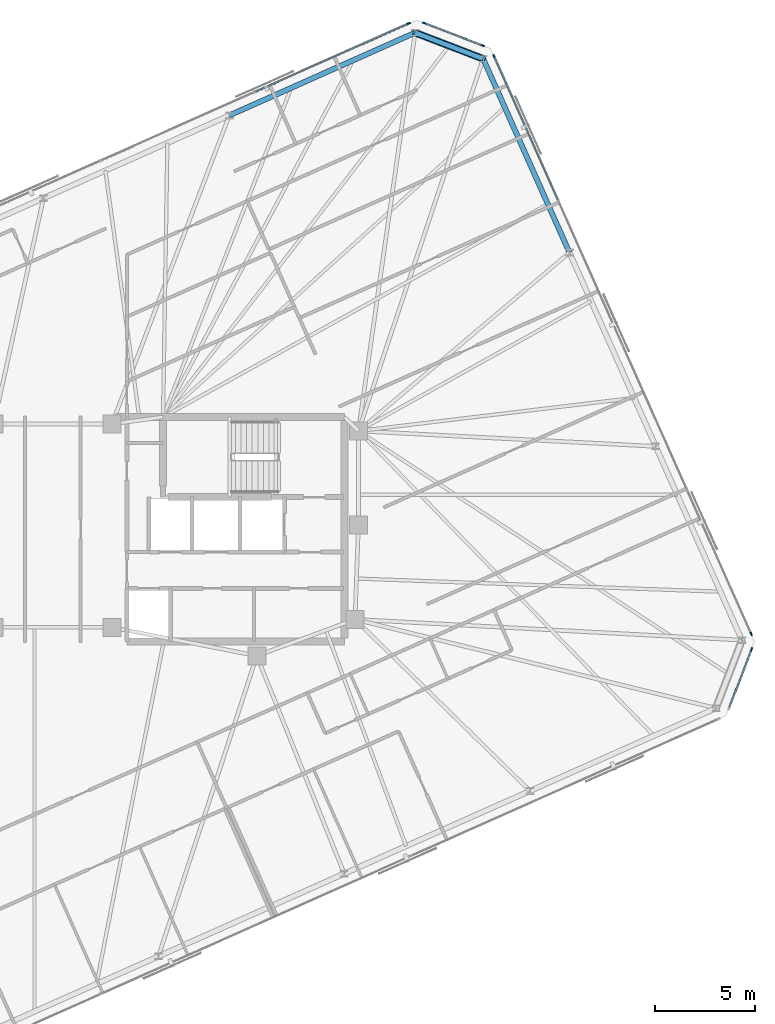
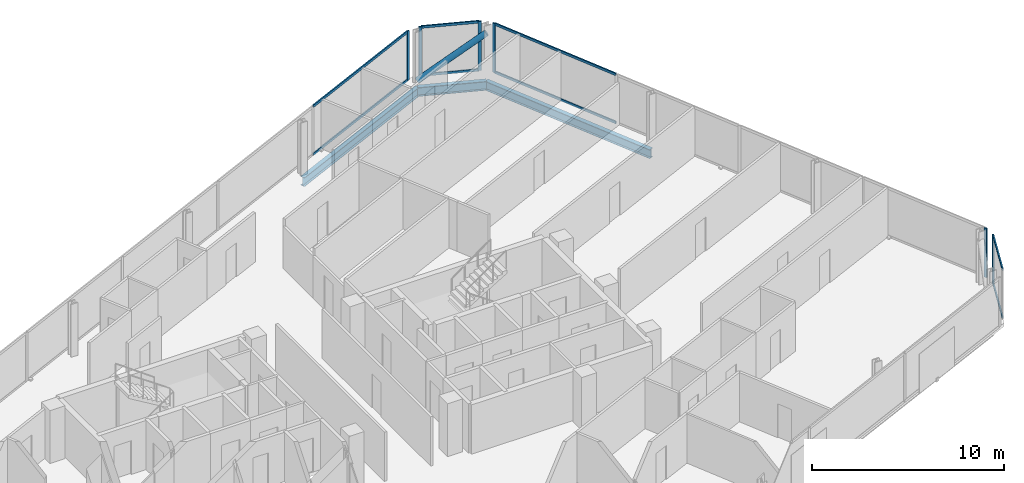
# One storey, part 11 of 19: 15 members, 3 beams, 4 elements without a shape of their own.
"""IFC4 building model written with IfcOpenShell, lengths in metres."""

from ifc_helpers import new_model, si_unit, direction, frame, origin, origin_2d, place, context, subcontext, project, spatial, rectangle, hollow_circle, i_section, extrude, material, material_profile, profile_set, type_object, element, aggregate, save


model = new_model("IFC4")

# Units and contexts
model_context = context("Model", 3, precision=1e-05, world=origin(), true_north=direction((0.0, 1.0)))
body_context = subcontext(model_context, "Body", "Model", "MODEL_VIEW")
ifc_project = project(units=[si_unit("LENGTHUNIT", "METRE"), si_unit("AREAUNIT", "SQUARE_METRE"), si_unit("VOLUMEUNIT", "CUBIC_METRE"), si_unit("PLANEANGLEUNIT", "RADIAN"), si_unit("MASSUNIT", "GRAM", prefix="KILO")], contexts=[model_context])

# Site, building, storey
site_placement = place(None, origin())
site = spatial("IfcSite", under=ifc_project, at=site_placement, CompositionType="ELEMENT")
building_placement = place(site_placement, origin())
building = spatial("IfcBuilding", under=site, at=building_placement, Name="Menara Jurai Vektor", CompositionType="ELEMENT")
storey_placement = place(building_placement, frame((0.0, 0.0, 281.89990234375)))
storey = spatial("IfcBuildingStorey", under=building, at=storey_placement, Name="L75", CompositionType="ELEMENT", Elevation=281.89990234375)

# Curtain wall, member
ifc_material_1 = material(Name="Anodised Pale Aluminium & Low-E Double Glazing", Category="aluminium")
curtain_wall_type = type_object("IfcCurtainWallType", Name="CW-BLK5", PredefinedType="NOTDEFINED", material=ifc_material_1)
curtain_wall_1_placement = place(storey_placement, origin())
curtain_wall_1 = element("IfcCurtainWall", 1, at=curtain_wall_1_placement, inside=storey, type_object=curtain_wall_type, Name="Unitised Curtain Wall L75 F02", PredefinedType="NOTDEFINED")
ifc_material_2 = material(Name="Anodised Pale Aluminium Mullion", Category="aluminium")
ifc_material_profile_1 = material_profile(ifc_material_2, rectangle(XDim=0.074951171875, YDim=0.175048828125, at=origin_2d()), Name="ALU MUL 75x175")
ifc_profile_set_1 = profile_set([ifc_material_profile_1], Name="Anodised Pale Aluminium Mullion")
member_type_1 = type_object("IfcMemberType", Name="CW-BLK5-MUL", PredefinedType="MULLION", material=ifc_profile_set_1)
member_1_placement = place(storey_placement, frame((34.87548828125, -5.997314453125, 0.0), z_axis=(0.0, 0.0, 1.0), x_axis=(-0.933578193639, 0.358373766287, 0.0)))
member_1 = element("IfcMember", 2, at=member_1_placement, type_object=member_type_1, Name="CW-05 mullion 2", PredefinedType="MULLION", context=body_context, shape_type="SweptSolid", body=[
    extrude(rectangle(XDim=0.074951171875, YDim=0.175048828125, at=origin_2d()), origin(), (0.0, 0.0, 1.0), 3.125),
])

# Curtain wall, members
curtain_wall_2_placement = place(storey_placement, origin())
curtain_wall_2 = element("IfcCurtainWall", 3, at=curtain_wall_2_placement, inside=storey, type_object=curtain_wall_type, Name="Unitised Curtain Wall L75 F03", PredefinedType="NOTDEFINED")
member_2_placement = place(storey_placement, frame((34.85546875, -5.22607421875, 0.0), z_axis=(0.0, 0.0, 1.0), x_axis=(-0.913546127706, -0.406735138086, 0.0)))
member_2 = element("IfcMember", 4, at=member_2_placement, type_object=member_type_1, Name="CW-05 mullion 1", PredefinedType="MULLION", context=body_context, shape_type="SweptSolid", body=[
    extrude(rectangle(XDim=0.074951171875, YDim=0.175048828125, at=origin_2d()), origin(), (0.0, 0.0, 1.0), 3.125),
])
member_3_placement = place(storey_placement, frame((22.016845703125, 23.610107421875, 0.0), z_axis=(0.0, 0.0, 1.0), x_axis=(-0.913546127706, -0.406735138086, 0.0)))
member_3 = element("IfcMember", 5, at=member_3_placement, type_object=member_type_1, Name="CW-05 mullion 5", PredefinedType="MULLION", context=body_context, shape_type="SweptSolid", body=[
    extrude(rectangle(XDim=0.074951171875, YDim=0.175048828125, at=origin_2d()), origin(), (0.0, 0.0, 1.0), 3.125),
])

curtain_wall_3_placement = place(storey_placement, origin())
curtain_wall_3 = element("IfcCurtainWall", 6, at=curtain_wall_3_placement, inside=storey, type_object=curtain_wall_type, Name="Unitised Curtain Wall L75 F04", PredefinedType="NOTDEFINED")
member_4_placement = place(storey_placement, frame((21.45703125, 24.14111328125, 0.0), z_axis=(0.0, 0.0, 1.0), x_axis=(-0.358373766287, -0.933578193639, 0.0)))
member_4 = element("IfcMember", 7, at=member_4_placement, type_object=member_type_1, Name="CW-05 mullion 1", PredefinedType="MULLION", context=body_context, shape_type="SweptSolid", body=[
    extrude(rectangle(XDim=0.074951171875, YDim=0.175048828125, at=origin_2d()), origin(), (0.0, 0.0, 1.0), 3.125),
])
member_5_placement = place(storey_placement, frame((18.539794921875, 25.2607421875, 0.0), z_axis=(0.0, 0.0, 1.0), x_axis=(-0.358373766287, -0.933578193639, 0.0)))
member_5 = element("IfcMember", 8, at=member_5_placement, type_object=member_type_1, Name="CW-05 mullion 2", PredefinedType="MULLION", context=body_context, shape_type="SweptSolid", body=[
    extrude(rectangle(XDim=0.074951171875, YDim=0.175048828125, at=origin_2d()), origin(), (0.0, 0.0, 1.0), 3.125),
])

# Curtain wall, member
curtain_wall_4_placement = place(storey_placement, origin())
curtain_wall_4 = element("IfcCurtainWall", 9, at=curtain_wall_4_placement, inside=storey, type_object=curtain_wall_type, Name="Unitised Curtain Wall L75 F05", PredefinedType="NOTDEFINED")
member_6_placement = place(storey_placement, frame((17.768798828125, 25.24072265625, 0.0), z_axis=(0.0, 0.0, 1.0), x_axis=(0.406735498684, -0.913545967158, 0.0)))
member_6 = element("IfcMember", 10, at=member_6_placement, type_object=member_type_1, Name="CW-05 mullion 1", PredefinedType="MULLION", context=body_context, shape_type="SweptSolid", body=[
    extrude(rectangle(XDim=0.074951171875, YDim=0.175048828125, at=origin_2d()), origin(), (0.0, 0.0, 1.0), 3.125),
])

# Member
ifc_material_3 = material(Name="Anodised Pale Aluminium Transom", Category="aluminium")
ifc_material_profile_2 = material_profile(ifc_material_3, rectangle(XDim=0.074951171875, YDim=0.155029296875, at=origin_2d()), Name="ALU TRN 75x155")
ifc_profile_set_2 = profile_set([ifc_material_profile_2], Name="Anodised Pale Aluminium Transom")
member_type_2 = type_object("IfcMemberType", Name="CW-BLK5-TRN", PredefinedType="USERDEFINED", material=ifc_profile_set_2)
member_7_placement = place(storey_placement, frame((33.769287109375, -8.87939453125, 0.03759765625), z_axis=(0.358324523823, 0.933597094911, 0.0), x_axis=(-0.933597094911, 0.358324523823, 0.0)))
member_7 = element("IfcMember", 11, at=member_7_placement, type_object=member_type_2, Name="CW-05 transom 1.1", ObjectType="TRANSOM", PredefinedType="USERDEFINED", context=body_context, shape_type="SweptSolid", body=[
    extrude(rectangle(XDim=0.074951171875, YDim=0.155029296875, at=origin_2d()), origin(), (0.0, 0.0, 1.0), 3.049560546875),
])

member_8_placement = place(storey_placement, frame((33.769287109375, -8.87939453125, 3.087646484375), z_axis=(0.358324523823, 0.933597094911, 0.0), x_axis=(-0.933597094911, 0.358324523823, 0.0)))
member_8 = element("IfcMember", 12, at=member_8_placement, type_object=member_type_2, Name="CW-05 transom 1.2", ObjectType="TRANSOM", PredefinedType="USERDEFINED", context=body_context, shape_type="SweptSolid", body=[
    extrude(rectangle(XDim=0.074951171875, YDim=0.155029296875, at=origin_2d()), origin(), (0.0, 0.0, 1.0), 3.049560546875),
])

aggregate(curtain_wall_1, [member_1, member_7, member_8])

member_9_placement = place(storey_placement, frame((25.20361328125, 16.452392578125, 0.03759765625), z_axis=(-0.406751345283, 0.913538911656, 0.0), x_axis=(-0.913538911656, -0.406751345283, 0.0)))
member_9 = element("IfcMember", 13, at=member_9_placement, type_object=member_type_2, Name="CW-05 transom 4.1", ObjectType="TRANSOM", PredefinedType="USERDEFINED", context=body_context, shape_type="SweptSolid", body=[
    extrude(rectangle(XDim=0.074951171875, YDim=0.155029296875, at=origin_2d()), origin(), (0.0, 0.0, 1.0), 7.79736328125),
])

member_10_placement = place(storey_placement, frame((25.20361328125, 16.452392578125, 3.087646484375), z_axis=(-0.406751345283, 0.913538911656, 0.0), x_axis=(-0.913538911656, -0.406751345283, 0.0)))
member_10 = element("IfcMember", 14, at=member_10_placement, type_object=member_type_2, Name="CW-05 transom 4.2", ObjectType="TRANSOM", PredefinedType="USERDEFINED", context=body_context, shape_type="SweptSolid", body=[
    extrude(rectangle(XDim=0.074951171875, YDim=0.155029296875, at=origin_2d()), origin(), (0.0, 0.0, 1.0), 7.79736328125),
])

aggregate(curtain_wall_2, [member_2, member_3, member_9, member_10])

member_11_placement = place(storey_placement, frame((21.422119140625, 24.154541015625, 0.03759765625), z_axis=(-0.933597094911, 0.358324523823, 0.0), x_axis=(-0.358324523823, -0.933597094911, 0.0)))
member_11 = element("IfcMember", 15, at=member_11_placement, type_object=member_type_2, Name="CW-05 transom 1.1", ObjectType="TRANSOM", PredefinedType="USERDEFINED", context=body_context, shape_type="SweptSolid", body=[
    extrude(rectangle(XDim=0.074951171875, YDim=0.155029296875, at=origin_2d()), origin(), (0.0, 0.0, 1.0), 3.049560546875),
])

member_12_placement = place(storey_placement, frame((21.422119140625, 24.154541015625, 3.087646484375), z_axis=(-0.933597094911, 0.358324523823, 0.0), x_axis=(-0.358324523823, -0.933597094911, 0.0)))
member_12 = element("IfcMember", 16, at=member_12_placement, type_object=member_type_2, Name="CW-05 transom 1.2", ObjectType="TRANSOM", PredefinedType="USERDEFINED", context=body_context, shape_type="SweptSolid", body=[
    extrude(rectangle(XDim=0.074951171875, YDim=0.155029296875, at=origin_2d()), origin(), (0.0, 0.0, 1.0), 3.049560546875),
])

aggregate(curtain_wall_3, [member_4, member_5, member_11, member_12])

member_13_placement = place(storey_placement, frame((17.734375, 25.225341796875, 0.03759765625), z_axis=(-0.913549007168, -0.406728670618, 0.0), x_axis=(0.406728670618, -0.913549007168, 0.0)))
member_13 = element("IfcMember", 17, at=member_13_placement, type_object=member_type_2, Name="CW-05 transom 1.1", ObjectType="TRANSOM", PredefinedType="USERDEFINED", context=body_context, shape_type="SweptSolid", body=[
    extrude(rectangle(XDim=0.074951171875, YDim=0.155029296875, at=origin_2d()), origin(), (0.0, 0.0, 1.0), 8.327392578125),
])

member_14_placement = place(storey_placement, frame((17.734375, 25.225341796875, 3.087646484375), z_axis=(-0.913549007168, -0.406728670618, 0.0), x_axis=(0.406728670618, -0.913549007168, 0.0)))
member_14 = element("IfcMember", 18, at=member_14_placement, type_object=member_type_2, Name="CW-05 transom 1.2", ObjectType="TRANSOM", PredefinedType="USERDEFINED", context=body_context, shape_type="SweptSolid", body=[
    extrude(rectangle(XDim=0.074951171875, YDim=0.155029296875, at=origin_2d()), origin(), (0.0, 0.0, 1.0), 8.327392578125),
])

aggregate(curtain_wall_4, [member_6, member_13, member_14])

ifc_material_4 = material(Name="Steel S460", Category="steel")
ifc_material_profile_3 = material_profile(ifc_material_4, hollow_circle(Radius=0.177734375, WallThickness=0.01611328125, at=origin_2d()), Name="CHS 355.6x16")
ifc_profile_set_3 = profile_set([ifc_material_profile_3], Name="Steel S460")
member_type_3 = type_object("IfcMemberType", Name="STR-BR-356", PredefinedType="BRACE", material=ifc_profile_set_3)
member_15_placement = place(storey_placement, frame((18.07958984375, 24.777099609375, 0.150146484375), z_axis=(0.757042028889, -0.2906257681, 0.585170085882), x_axis=(0.358394346877, 0.933570293083, 0.0)))
element("IfcMember", 19, at=member_15_placement, inside=storey, type_object=member_type_3, Name="Exoskeleton Corner Brace L75-2", PredefinedType="BRACE", context=body_context, shape_type="SweptSolid", body=[
    extrude(hollow_circle(Radius=0.177734375, WallThickness=0.01611328125, at=origin_2d()), origin(), (0.0, 0.0, 1.0), 4.48583984375),
])

# Beams
ifc_material_5 = material(Name="Steel S355", Category="steel")
ifc_material_profile_4 = material_profile(ifc_material_5, i_section(OverallWidth=0.260009765625, OverallDepth=0.570068359375, WebThickness=0.013916015625, FlangeThickness=0.02392578125, at=origin_2d()), Name="PG 570x260x145")
ifc_profile_set_4 = profile_set([ifc_material_profile_4], Name="Steel S355")
beam_type = type_object("IfcBeamType", Name="STR-SP-570", PredefinedType="SPANDREL", material=ifc_profile_set_4)
beam_1_placement = place(storey_placement, frame((25.781005859375, 13.80322265625, -0.510009765625), z_axis=(-0.40673543049, 0.91354599752, 0.0), x_axis=(-0.91354599752, -0.40673543049, 0.0)))
element("IfcBeam", 20, at=beam_1_placement, inside=storey, type_object=beam_type, Name="Exoskeleton Spandrel Beam L75-09", PredefinedType="SPANDREL", context=body_context, shape_type="SweptSolid", body=[
    extrude(i_section(OverallWidth=0.260009765625, OverallDepth=0.570068359375, WebThickness=0.013916015625, FlangeThickness=0.02392578125, at=origin_2d()), origin(), (0.0, 0.0, 1.0), 10.585205078125),
])
beam_2_placement = place(storey_placement, frame((21.4755859375, 23.473388671875, -0.510009765625), z_axis=(-0.933570293083, 0.358394346877, 0.0), x_axis=(-0.358394346877, -0.933570293083, 0.0)))
element("IfcBeam", 21, at=beam_2_placement, inside=storey, type_object=beam_type, Name="Exoskeleton Spandrel Beam L75-10", PredefinedType="SPANDREL", context=body_context, shape_type="SweptSolid", body=[
    extrude(i_section(OverallWidth=0.260009765625, OverallDepth=0.570068359375, WebThickness=0.013916015625, FlangeThickness=0.02392578125, at=origin_2d()), origin(), (0.0, 0.0, 1.0), 3.6376953125),
])
beam_3_placement = place(storey_placement, frame((18.07958984375, 24.777099609375, -0.510009765625), z_axis=(-0.913545561407, -0.406736410017, 0.0), x_axis=(0.406736410017, -0.913545561407, 0.0)))
element("IfcBeam", 22, at=beam_3_placement, inside=storey, type_object=beam_type, Name="Exoskeleton Spandrel Beam L75-11", PredefinedType="SPANDREL", context=body_context, shape_type="SweptSolid", body=[
    extrude(i_section(OverallWidth=0.260009765625, OverallDepth=0.570068359375, WebThickness=0.013916015625, FlangeThickness=0.02392578125, at=origin_2d()), origin(), (0.0, 0.0, 1.0), 10.1513671875),
])

save(model, "model.ifc")
